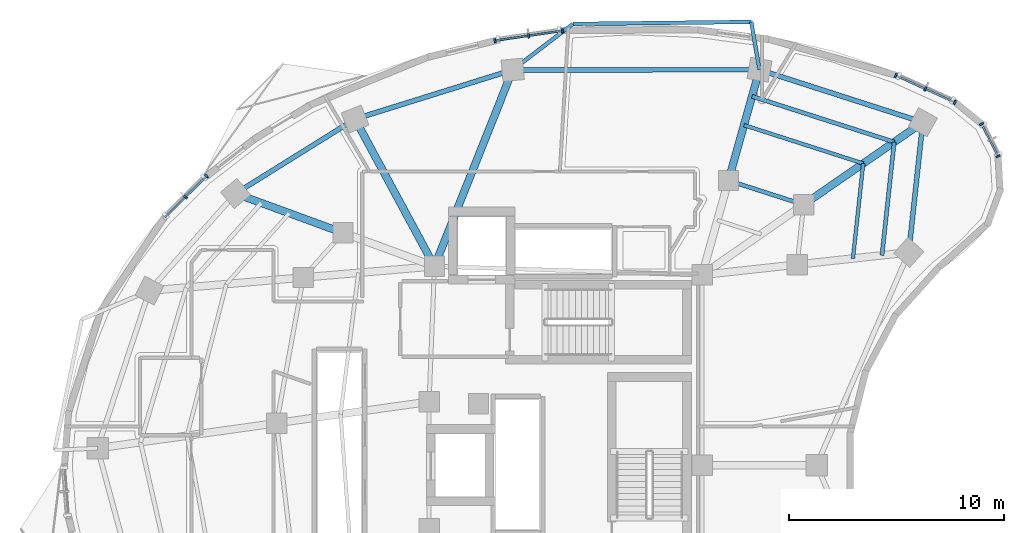
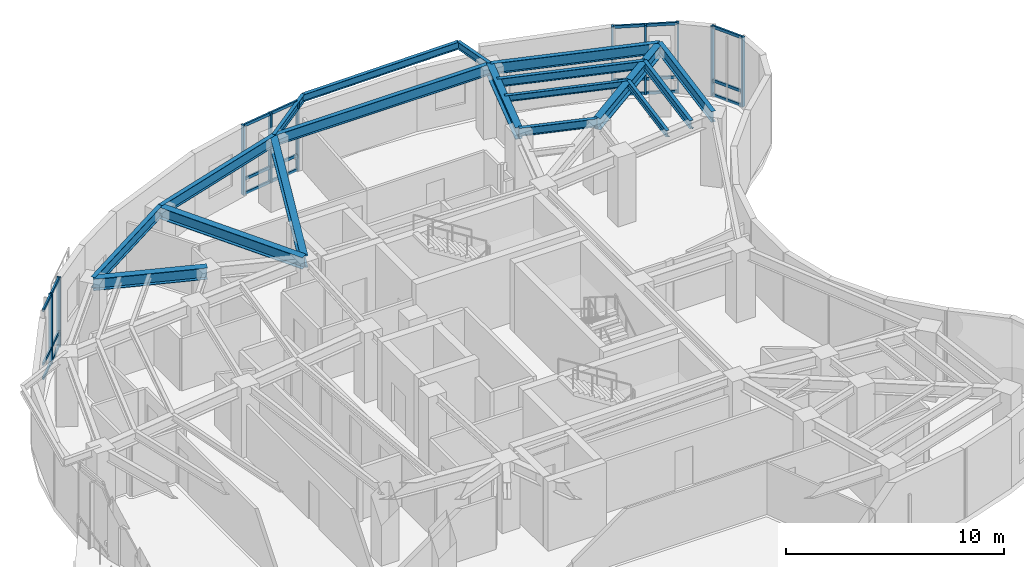
# One storey, part 5 of 13: 31 members, 18 beams, 4 elements without a shape of their own.
"""IFC4 building model written with IfcOpenShell, lengths in metres."""

from ifc_helpers import new_model, si_unit, direction, frame, origin, origin_2d, place, context, subcontext, project, spatial, rectangle, i_section, extrude, material, layer, layer_set, material_profile, profile_set, type_object, element, aggregate, save


model = new_model("IFC4")

# Units and contexts
model_context = context("Model", 3, precision=1e-05, world=origin(), true_north=direction((0.0, 1.0)))
body_context = subcontext(model_context, "Body", "Model", "MODEL_VIEW")
ifc_project = project(units=[si_unit("LENGTHUNIT", "METRE"), si_unit("AREAUNIT", "SQUARE_METRE"), si_unit("VOLUMEUNIT", "CUBIC_METRE"), si_unit("PLANEANGLEUNIT", "RADIAN"), si_unit("MASSUNIT", "GRAM", prefix="KILO")], contexts=[model_context])

# Site, building, storey
site_placement = place(None, origin())
site = spatial("IfcSite", under=ifc_project, at=site_placement, CompositionType="ELEMENT")
building_placement = place(site_placement, origin())
building = spatial("IfcBuilding", under=site, at=building_placement, Name="Korentha Bioscience Tower", CompositionType="ELEMENT")
storey_placement = place(building_placement, frame((0.0, 0.0, 192.0)))
storey = spatial("IfcBuildingStorey", under=building, at=storey_placement, Name="L44", CompositionType="ELEMENT", Elevation=192.0)

# Beam
ifc_material_1 = material(Name="Steel S355", Category="steel")
ifc_material_profile_1 = material_profile(ifc_material_1, i_section(OverallWidth=0.18994140625, OverallDepth=0.45703125, WebThickness=0.009033203125, FlangeThickness=0.014404296875, at=origin_2d()), Name="Steel S355")
ifc_profile_set_1 = profile_set([ifc_material_profile_1], Name="Steel S355 (MB-460)")
beam_type_1 = type_object("IfcBeamType", Name="Mid-Ring Tie Girder W460x74", PredefinedType="BEAM", material=ifc_profile_set_1)
beam_1_placement = place(storey_placement, frame((42.274658203125, 39.1171875, 3.67138671875), z_axis=(-0.952000195343, 0.306097415976, 0.0), x_axis=(-0.306097415976, -0.952000195343, 0.0)))
element("IfcBeam", 1, at=beam_1_placement, inside=storey, type_object=beam_type_1, Name="L44 Mid-Ring Tie Girder 01", PredefinedType="BEAM", context=body_context, shape_type="SweptSolid", body=[
    extrude(i_section(OverallWidth=0.18994140625, OverallDepth=0.45703125, WebThickness=0.009033203125, FlangeThickness=0.014404296875, at=origin_2d()), origin(), (0.0, 0.0, 1.0), 3.672119140625),
])

# Curtain wall, members
ifc_material_2 = material(Name="Thermally Broken Aluminium Frame", Category="aluminium")
ifc_layer = layer(ifc_material_2, 0.219970703125, Name="Thermally Broken Aluminium Frame")
ifc_layer_set = layer_set([ifc_layer], Name="Thermally Broken Aluminium Frame (CW-T2)")
curtain_wall_type = type_object("IfcCurtainWallType", Name="Solar-Screened Lab Unitised Curtain Wall CW-T2", PredefinedType="USERDEFINED", material=ifc_layer_set)
curtain_wall_1_placement = place(storey_placement, origin())
curtain_wall_1 = element("IfcCurtainWall", 2, at=curtain_wall_1_placement, inside=storey, type_object=curtain_wall_type, Name="L44 Curtain Wall 01", ObjectType="UNITISED", PredefinedType="USERDEFINED")
ifc_material_3 = material(Name="Anodised Aluminium 6063-T6", Category="aluminium")
ifc_material_profile_2 = material_profile(ifc_material_3, rectangle(XDim=0.090087890625, YDim=0.199951171875, at=origin_2d()), Name="Anodised Aluminium 6063-T6")
ifc_profile_set_2 = profile_set([ifc_material_profile_2], Name="Anodised Aluminium 6063-T6 (CW-MUL)")
member_type_1 = type_object("IfcMemberType", Name="Mullion RECT 90x200", PredefinedType="MULLION", material=ifc_profile_set_2)
member_1_placement = place(storey_placement, frame((49.314453125, 43.878173828125, 0.0), z_axis=(0.0, 0.0, 1.0), x_axis=(-0.910644398392, 0.413190972406, 0.0)))
member_1 = element("IfcMember", 3, at=member_1_placement, type_object=member_type_1, Name="CW-L44-01 Mullion 1", PredefinedType="MULLION", context=body_context, shape_type="SweptSolid", body=[
    extrude(rectangle(XDim=0.090087890625, YDim=0.199951171875, at=origin_2d()), origin(), (0.0, 0.0, 1.0), 3.89990234375),
])
member_2_placement = place(storey_placement, frame((47.93701171875, 44.503173828125, 0.0), z_axis=(0.0, 0.0, 1.0), x_axis=(-0.910644398392, 0.413190972406, 0.0)))
member_2 = element("IfcMember", 4, at=member_2_placement, type_object=member_type_1, Name="CW-L44-01 Mullion 2", PredefinedType="MULLION", context=body_context, shape_type="SweptSolid", body=[
    extrude(rectangle(XDim=0.090087890625, YDim=0.199951171875, at=origin_2d()), origin(), (0.0, 0.0, 1.0), 3.89990234375),
])
member_3_placement = place(storey_placement, frame((46.5595703125, 45.128173828125, 0.0), z_axis=(0.0, 0.0, 1.0), x_axis=(-0.910644398392, 0.413190972406, 0.0)))
member_3 = element("IfcMember", 5, at=member_3_placement, type_object=member_type_1, Name="CW-L44-01 Mullion 3", PredefinedType="MULLION", context=body_context, shape_type="SweptSolid", body=[
    extrude(rectangle(XDim=0.090087890625, YDim=0.199951171875, at=origin_2d()), origin(), (0.0, 0.0, 1.0), 3.89990234375),
])

curtain_wall_2_placement = place(storey_placement, origin())
curtain_wall_2 = element("IfcCurtainWall", 6, at=curtain_wall_2_placement, inside=storey, type_object=curtain_wall_type, Name="L44 Curtain Wall 07", ObjectType="UNITISED", PredefinedType="USERDEFINED")
member_4_placement = place(storey_placement, frame((31.056640625, 47.205078125, 0.0), z_axis=(0.0, 0.0, 1.0), x_axis=(-0.989461919888, -0.144793332342, 0.0)))
member_4 = element("IfcMember", 7, at=member_4_placement, type_object=member_type_1, Name="CW-L44-07 Mullion 1", PredefinedType="MULLION", context=body_context, shape_type="SweptSolid", body=[
    extrude(rectangle(XDim=0.090087890625, YDim=0.199951171875, at=origin_2d()), origin(), (0.0, 0.0, 1.0), 3.89990234375),
])
member_5_placement = place(storey_placement, frame((29.485107421875, 46.97509765625, 0.0), z_axis=(0.0, 0.0, 1.0), x_axis=(-0.989461919888, -0.144793332342, 0.0)))
member_5 = element("IfcMember", 8, at=member_5_placement, type_object=member_type_1, Name="CW-L44-07 Mullion 2", PredefinedType="MULLION", context=body_context, shape_type="SweptSolid", body=[
    extrude(rectangle(XDim=0.090087890625, YDim=0.199951171875, at=origin_2d()), origin(), (0.0, 0.0, 1.0), 3.89990234375),
])
member_6_placement = place(storey_placement, frame((27.913330078125, 46.7451171875, 0.0), z_axis=(0.0, 0.0, 1.0), x_axis=(-0.989461919888, -0.144793332342, 0.0)))
member_6 = element("IfcMember", 9, at=member_6_placement, type_object=member_type_1, Name="CW-L44-07 Mullion 3", PredefinedType="MULLION", context=body_context, shape_type="SweptSolid", body=[
    extrude(rectangle(XDim=0.090087890625, YDim=0.199951171875, at=origin_2d()), origin(), (0.0, 0.0, 1.0), 3.89990234375),
])

curtain_wall_3_placement = place(storey_placement, origin())
curtain_wall_3 = element("IfcCurtainWall", 10, at=curtain_wall_3_placement, inside=storey, type_object=curtain_wall_type, Name="L44 Curtain Wall 13", ObjectType="UNITISED", PredefinedType="USERDEFINED")
member_7_placement = place(storey_placement, frame((14.49951171875, 40.44287109375, 0.0), z_axis=(0.0, 0.0, 1.0), x_axis=(-0.711460557971, -0.702726030862, 0.0)))
member_7 = element("IfcMember", 11, at=member_7_placement, type_object=member_type_1, Name="CW-L44-13 Mullion 1", PredefinedType="MULLION", context=body_context, shape_type="SweptSolid", body=[
    extrude(rectangle(XDim=0.090087890625, YDim=0.199951171875, at=origin_2d()), origin(), (0.0, 0.0, 1.0), 3.89990234375),
])
member_8_placement = place(storey_placement, frame((13.517333984375, 39.472900390625, 0.0), z_axis=(0.0, 0.0, 1.0), x_axis=(-0.711460557971, -0.702726030862, 0.0)))
member_8 = element("IfcMember", 12, at=member_8_placement, type_object=member_type_1, Name="CW-L44-13 Mullion 2", PredefinedType="MULLION", context=body_context, shape_type="SweptSolid", body=[
    extrude(rectangle(XDim=0.090087890625, YDim=0.199951171875, at=origin_2d()), origin(), (0.0, 0.0, 1.0), 3.89990234375),
])

curtain_wall_4_placement = place(storey_placement, origin())
curtain_wall_4 = element("IfcCurtainWall", 13, at=curtain_wall_4_placement, inside=storey, type_object=curtain_wall_type, Name="L44 Curtain Wall 61", ObjectType="UNITISED", PredefinedType="USERDEFINED")
member_9_placement = place(storey_placement, frame((51.31884765625, 41.375732421875, 0.0), z_axis=(0.0, 0.0, 1.0), x_axis=(-0.45428845847, 0.890854643868, 0.0)))
member_9 = element("IfcMember", 14, at=member_9_placement, type_object=member_type_1, Name="CW-L44-61 Mullion 1", PredefinedType="MULLION", context=body_context, shape_type="SweptSolid", body=[
    extrude(rectangle(XDim=0.090087890625, YDim=0.199951171875, at=origin_2d()), origin(), (0.0, 0.0, 1.0), 3.89990234375),
])
member_10_placement = place(storey_placement, frame((50.5546875, 42.873779296875, 0.0), z_axis=(0.0, 0.0, 1.0), x_axis=(-0.45428845847, 0.890854643868, 0.0)))
member_10 = element("IfcMember", 15, at=member_10_placement, type_object=member_type_1, Name="CW-L44-61 Mullion 2", PredefinedType="MULLION", context=body_context, shape_type="SweptSolid", body=[
    extrude(rectangle(XDim=0.090087890625, YDim=0.199951171875, at=origin_2d()), origin(), (0.0, 0.0, 1.0), 3.89990234375),
])

# Beams
ifc_material_profile_3 = material_profile(ifc_material_1, i_section(OverallWidth=0.22802734375, OverallDepth=0.60791015625, WebThickness=0.01123046875, FlangeThickness=0.017333984375, at=origin_2d()), Name="Steel S355")
ifc_profile_set_3 = profile_set([ifc_material_profile_3], Name="Steel S355 (SB-610)")
beam_type_2 = type_object("IfcBeamType", Name="Perimeter Ring Spandrel Girder W610x113", PredefinedType="SPANDREL", material=ifc_profile_set_3)
beam_2_placement = place(storey_placement, frame((47.821044921875, 42.95263671875, 3.595947265625), z_axis=(-0.952008512555, 0.306071547228, 0.0), x_axis=(-0.306071547228, -0.952008512555, 0.0)))
element("IfcBeam", 16, at=beam_2_placement, inside=storey, type_object=beam_type_2, Name="L44 Perimeter Spandrel Girder 01", PredefinedType="SPANDREL", context=body_context, shape_type="SweptSolid", body=[
    extrude(i_section(OverallWidth=0.22802734375, OverallDepth=0.60791015625, WebThickness=0.01123046875, FlangeThickness=0.017333984375, at=origin_2d()), origin(), (0.0, 0.0, 1.0), 7.98291015625),
])
beam_3_placement = place(storey_placement, frame((40.22119140625, 45.39599609375, 3.595947265625), z_axis=(-0.99999988041, -0.000489059883, 0.0), x_axis=(0.000489059883, -0.99999988041, 0.0)))
element("IfcBeam", 17, at=beam_3_placement, inside=storey, type_object=beam_type_2, Name="L44 Perimeter Spandrel Girder 02", PredefinedType="SPANDREL", context=body_context, shape_type="SweptSolid", body=[
    extrude(i_section(OverallWidth=0.22802734375, OverallDepth=0.60791015625, WebThickness=0.01123046875, FlangeThickness=0.017333984375, at=origin_2d()), origin(), (0.0, 0.0, 1.0), 11.481689453125),
])
beam_4_placement = place(storey_placement, frame((28.739501953125, 45.390380859375, 3.595947265625), z_axis=(-0.954638172607, -0.29776829818, 0.0), x_axis=(0.29776829818, -0.954638172607, 0.0)))
element("IfcBeam", 18, at=beam_4_placement, inside=storey, type_object=beam_type_2, Name="L44 Perimeter Spandrel Girder 03", PredefinedType="SPANDREL", context=body_context, shape_type="SweptSolid", body=[
    extrude(i_section(OverallWidth=0.22802734375, OverallDepth=0.60791015625, WebThickness=0.01123046875, FlangeThickness=0.017333984375, at=origin_2d()), origin(), (0.0, 0.0, 1.0), 7.682373046875),
])
beam_5_placement = place(storey_placement, frame((21.405517578125, 43.102783203125, 3.595947265625), z_axis=(-0.848675740059, -0.528913497876, 0.0), x_axis=(0.528913497876, -0.848675740059, 0.0)))
element("IfcBeam", 19, at=beam_5_placement, inside=storey, type_object=beam_type_2, Name="L44 Perimeter Spandrel Girder 04", PredefinedType="SPANDREL", context=body_context, shape_type="SweptSolid", body=[
    extrude(i_section(OverallWidth=0.22802734375, OverallDepth=0.60791015625, WebThickness=0.01123046875, FlangeThickness=0.017333984375, at=origin_2d()), origin(), (0.0, 0.0, 1.0), 6.55322265625),
])
beam_6_placement = place(storey_placement, frame((47.16748046875, 36.89794921875, 3.595947265625), z_axis=(0.10732012232, 0.994224517574, 0.0), x_axis=(-0.994224517574, 0.10732012232, 0.0)))
element("IfcBeam", 20, at=beam_6_placement, inside=storey, type_object=beam_type_2, Name="L44 Perimeter Spandrel Girder 16", PredefinedType="SPANDREL", context=body_context, shape_type="SweptSolid", body=[
    extrude(i_section(OverallWidth=0.22802734375, OverallDepth=0.60791015625, WebThickness=0.01123046875, FlangeThickness=0.017333984375, at=origin_2d()), origin(), (0.0, 0.0, 1.0), 6.08984375),
])
ifc_material_profile_4 = material_profile(ifc_material_1, i_section(OverallWidth=0.18994140625, OverallDepth=0.45703125, WebThickness=0.009033203125, FlangeThickness=0.014404296875, at=origin_2d()), Name="Steel S355")
ifc_profile_set_4 = profile_set([ifc_material_profile_4], Name="Steel S355 (RB-460)")
beam_type_3 = type_object("IfcBeamType", Name="Radial Laboratory Beam W460x74", PredefinedType="BEAM", material=ifc_profile_set_4)
beam_7_placement = place(storey_placement, frame((46.489990234375, 42.031982421875, 3.67138671875), z_axis=(-0.952009183817, 0.306069459318, 0.0), x_axis=(-0.306069459318, -0.952009183817, 0.0)))
element("IfcBeam", 21, at=beam_7_placement, inside=storey, type_object=beam_type_3, Name="L44 Secondary Floor Beam JSTO-01", PredefinedType="BEAM", context=body_context, shape_type="SweptSolid", body=[
    extrude(i_section(OverallWidth=0.18994140625, OverallDepth=0.45703125, WebThickness=0.009033203125, FlangeThickness=0.014404296875, at=origin_2d()), origin(), (0.0, 0.0, 1.0), 6.948486328125),
])
beam_8_placement = place(storey_placement, frame((45.921142578125, 36.76220703125, 3.67138671875), z_axis=(0.107321875607, 0.994224328316, 0.0), x_axis=(-0.994224328316, 0.107321875607, 0.0)))
element("IfcBeam", 22, at=beam_8_placement, inside=storey, type_object=beam_type_3, Name="L44 Secondary Floor Beam JSTO-16", PredefinedType="BEAM", context=body_context, shape_type="SweptSolid", body=[
    extrude(i_section(OverallWidth=0.18994140625, OverallDepth=0.45703125, WebThickness=0.009033203125, FlangeThickness=0.014404296875, at=origin_2d()), origin(), (0.0, 0.0, 1.0), 5.30029296875),
])
ifc_material_profile_5 = material_profile(ifc_material_1, i_section(OverallWidth=0.35009765625, OverallDepth=0.64990234375, WebThickness=0.01611328125, FlangeThickness=0.02490234375, at=origin_2d()), Name="Steel S355")
ifc_profile_set_5 = profile_set([ifc_material_profile_5], Name="Steel S355 (RB-650)")
beam_type_4 = type_object("IfcBeamType", Name="Radial Laboratory Girder CVS 650x208", PredefinedType="BEAM", material=ifc_profile_set_5)
beam_9_placement = place(storey_placement, frame((42.274658203125, 39.1171875, 3.574951171875), z_axis=(0.822494455845, 0.568773127094, 0.0), x_axis=(-0.568773127094, 0.822494455845, 0.0)))
element("IfcBeam", 23, at=beam_9_placement, inside=storey, type_object=beam_type_4, Name="L44 Outer Radial Girder 01", PredefinedType="BEAM", context=body_context, shape_type="SweptSolid", body=[
    extrude(i_section(OverallWidth=0.35009765625, OverallDepth=0.64990234375, WebThickness=0.01611328125, FlangeThickness=0.02490234375, at=origin_2d()), origin(), (0.0, 0.0, 1.0), 6.743408203125),
])
beam_10_placement = place(storey_placement, frame((38.77880859375, 40.2412109375, 3.574951171875), z_axis=(0.269464128344, 0.963010427532, 0.0), x_axis=(-0.963010427532, 0.269464128344, 0.0)))
element("IfcBeam", 24, at=beam_10_placement, inside=storey, type_object=beam_type_4, Name="L44 Outer Radial Girder 02", PredefinedType="BEAM", context=body_context, shape_type="SweptSolid", body=[
    extrude(i_section(OverallWidth=0.35009765625, OverallDepth=0.64990234375, WebThickness=0.01611328125, FlangeThickness=0.02490234375, at=origin_2d()), origin(), (0.0, 0.0, 1.0), 5.352783203125),
])
beam_11_placement = place(storey_placement, frame((25.10009765625, 36.25, 3.574951171875), z_axis=(0.369922682955, 0.929062542909, 0.0), x_axis=(-0.929062542909, 0.369922682955, 0.0)))
element("IfcBeam", 25, at=beam_11_placement, inside=storey, type_object=beam_type_4, Name="L44 Radial Girder 03", PredefinedType="BEAM", context=body_context, shape_type="SweptSolid", body=[
    extrude(i_section(OverallWidth=0.35009765625, OverallDepth=0.64990234375, WebThickness=0.01611328125, FlangeThickness=0.02490234375, at=origin_2d()), origin(), (0.0, 0.0, 1.0), 9.83837890625),
])
beam_12_placement = place(storey_placement, frame((25.10009765625, 36.25, 3.574951171875), z_axis=(-0.474559790141, 0.880223270302, 0.0), x_axis=(-0.880223270302, -0.474559790141, 0.0)))
element("IfcBeam", 26, at=beam_12_placement, inside=storey, type_object=beam_type_4, Name="L44 Radial Girder 04", PredefinedType="BEAM", context=body_context, shape_type="SweptSolid", body=[
    extrude(i_section(OverallWidth=0.35009765625, OverallDepth=0.64990234375, WebThickness=0.01611328125, FlangeThickness=0.02490234375, at=origin_2d()), origin(), (0.0, 0.0, 1.0), 7.785400390625),
])
beam_13_placement = place(storey_placement, frame((20.84228515625, 37.807861328125, 3.574951171875), z_axis=(-0.939109855566, 0.343617053097, 0.0), x_axis=(-0.343617053097, -0.939109855566, 0.0)))
element("IfcBeam", 27, at=beam_13_placement, inside=storey, type_object=beam_type_4, Name="L44 Outer Radial Girder 05", PredefinedType="BEAM", context=body_context, shape_type="SweptSolid", body=[
    extrude(i_section(OverallWidth=0.35009765625, OverallDepth=0.64990234375, WebThickness=0.01611328125, FlangeThickness=0.02490234375, at=origin_2d()), origin(), (0.0, 0.0, 1.0), 5.322265625),
])
ifc_material_profile_6 = material_profile(ifc_material_1, i_section(OverallWidth=0.1708984375, OverallDepth=0.35498046875, WebThickness=0.007080078125, FlangeThickness=0.01171875, at=origin_2d()), Name="Steel S355")
ifc_profile_set_6 = profile_set([ifc_material_profile_6], Name="Steel S355 (JB-360)")
beam_type_5 = type_object("IfcBeamType", Name="Secondary Laboratory Joist W360x51", PredefinedType="JOIST", material=ifc_profile_set_6)
beam_14_placement = place(storey_placement, frame((45.0478515625, 41.034912109375, 3.722412109375), z_axis=(-0.952005892166, 0.306079697596, 0.0), x_axis=(-0.306079697596, -0.952005892166, 0.0)))
element("IfcBeam", 28, at=beam_14_placement, inside=storey, type_object=beam_type_5, Name="L44 Secondary Floor Beam JST-01", PredefinedType="JOIST", context=body_context, shape_type="SweptSolid", body=[
    extrude(i_section(OverallWidth=0.1708984375, OverallDepth=0.35498046875, WebThickness=0.007080078125, FlangeThickness=0.01171875, at=origin_2d()), origin(), (0.0, 0.0, 1.0), 5.82763671875),
])
beam_15_placement = place(storey_placement, frame((44.57080078125, 36.614990234375, 3.722412109375), z_axis=(0.107308722475, 0.994225748048, 0.0), x_axis=(-0.994225748048, 0.107308722475, 0.0)))
element("IfcBeam", 29, at=beam_15_placement, inside=storey, type_object=beam_type_5, Name="L44 Secondary Floor Beam JST-16", PredefinedType="JOIST", context=body_context, shape_type="SweptSolid", body=[
    extrude(i_section(OverallWidth=0.1708984375, OverallDepth=0.35498046875, WebThickness=0.007080078125, FlangeThickness=0.01171875, at=origin_2d()), origin(), (0.0, 0.0, 1.0), 4.445556640625),
])
ifc_material_profile_7 = material_profile(ifc_material_1, i_section(OverallWidth=0.177978515625, OverallDepth=0.406982421875, WebThickness=0.0078125, FlangeThickness=0.0126953125, at=origin_2d()), Name="Steel S355")
ifc_profile_set_7 = profile_set([ifc_material_profile_7], Name="Steel S355 (CB-410)")
beam_type_6 = type_object("IfcBeamType", Name="Sun-Ledge Cantilever Beam W410x60", PredefinedType="BEAM", material=ifc_profile_set_7)
beam_16_placement = place(storey_placement, frame((40.22119140625, 45.39599609375, 3.698486328125), z_axis=(-0.169095852477, 0.985599610732, 0.0), x_axis=(-0.985599610732, -0.169095852477, 0.0)))
element("IfcBeam", 30, at=beam_16_placement, inside=storey, type_object=beam_type_6, Name="L44 Balcony Cantilever Bracket A-L45-01", PredefinedType="BEAM", context=body_context, shape_type="SweptSolid", body=[
    extrude(i_section(OverallWidth=0.177978515625, OverallDepth=0.406982421875, WebThickness=0.0078125, FlangeThickness=0.0126953125, at=origin_2d()), origin(), (0.0, 0.0, 1.0), 2.258056640625),
])
beam_17_placement = place(storey_placement, frame((28.739501953125, 45.390380859375, 3.698486328125), z_axis=(0.794810389594, 0.606857845458, 0.0), x_axis=(-0.606857845458, 0.794810389594, 0.0)))
element("IfcBeam", 31, at=beam_17_placement, inside=storey, type_object=beam_type_6, Name="L44 Balcony Cantilever Bracket B-L45-01", PredefinedType="BEAM", context=body_context, shape_type="SweptSolid", body=[
    extrude(i_section(OverallWidth=0.177978515625, OverallDepth=0.406982421875, WebThickness=0.0078125, FlangeThickness=0.0126953125, at=origin_2d()), origin(), (0.0, 0.0, 1.0), 3.520263671875),
])
beam_18_placement = place(storey_placement, frame((39.83935546875, 47.62158203125, 3.698486328125), z_axis=(-0.999934575407, -0.011438745768, 0.0), x_axis=(0.011438745768, -0.999934575407, 0.0)))
element("IfcBeam", 32, at=beam_18_placement, inside=storey, type_object=beam_type_6, Name="L44 Balcony Edge Trimmer Beam L45-01", PredefinedType="BEAM", context=body_context, shape_type="SweptSolid", body=[
    extrude(i_section(OverallWidth=0.177978515625, OverallDepth=0.406982421875, WebThickness=0.0078125, FlangeThickness=0.0126953125, at=origin_2d()), origin(), (0.0, 0.0, 1.0), 8.302490234375),
])

# Member
ifc_material_profile_8 = material_profile(ifc_material_3, rectangle(XDim=0.090087890625, YDim=0.159912109375, at=origin_2d()), Name="Anodised Aluminium 6063-T6")
ifc_profile_set_8 = profile_set([ifc_material_profile_8], Name="Anodised Aluminium 6063-T6 (CW-TRN)")
member_type_2 = type_object("IfcMemberType", Name="Transom RECT 90x160", PredefinedType="USERDEFINED", material=ifc_profile_set_8)
member_11_placement = place(storey_placement, frame((49.2734375, 43.896728515625, 0.044921875), z_axis=(-0.910613165474, 0.41325980069, 0.0), x_axis=(-0.41325980069, -0.910613165474, 0.0)))
member_11 = element("IfcMember", 33, at=member_11_placement, type_object=member_type_2, Name="CW-L44-01 Bay 1 Transom 1", ObjectType="TRANSOM", PredefinedType="USERDEFINED", context=body_context, shape_type="SweptSolid", body=[
    extrude(rectangle(XDim=0.090087890625, YDim=0.159912109375, at=origin_2d()), origin(), (0.0, 0.0, 1.0), 1.422607421875),
])

member_12_placement = place(storey_placement, frame((49.2734375, 43.896728515625, 0.85009765625), z_axis=(-0.910613165474, 0.41325980069, 0.0), x_axis=(-0.41325980069, -0.910613165474, 0.0)))
member_12 = element("IfcMember", 34, at=member_12_placement, type_object=member_type_2, Name="CW-L44-01 Bay 1 Transom 2", ObjectType="TRANSOM", PredefinedType="USERDEFINED", context=body_context, shape_type="SweptSolid", body=[
    extrude(rectangle(XDim=0.090087890625, YDim=0.159912109375, at=origin_2d()), origin(), (0.0, 0.0, 1.0), 1.422607421875),
])

member_13_placement = place(storey_placement, frame((49.2734375, 43.896728515625, 3.85498046875), z_axis=(-0.910613165474, 0.41325980069, 0.0), x_axis=(-0.41325980069, -0.910613165474, 0.0)))
member_13 = element("IfcMember", 35, at=member_13_placement, type_object=member_type_2, Name="CW-L44-01 Bay 1 Transom 3", ObjectType="TRANSOM", PredefinedType="USERDEFINED", context=body_context, shape_type="SweptSolid", body=[
    extrude(rectangle(XDim=0.090087890625, YDim=0.159912109375, at=origin_2d()), origin(), (0.0, 0.0, 1.0), 1.422607421875),
])

member_14_placement = place(storey_placement, frame((47.89599609375, 44.521728515625, 0.044921875), z_axis=(-0.910613165474, 0.41325980069, 0.0), x_axis=(-0.41325980069, -0.910613165474, 0.0)))
member_14 = element("IfcMember", 36, at=member_14_placement, type_object=member_type_2, Name="CW-L44-01 Bay 2 Transom 1", ObjectType="TRANSOM", PredefinedType="USERDEFINED", context=body_context, shape_type="SweptSolid", body=[
    extrude(rectangle(XDim=0.090087890625, YDim=0.159912109375, at=origin_2d()), origin(), (0.0, 0.0, 1.0), 1.422607421875),
])

member_15_placement = place(storey_placement, frame((47.89599609375, 44.521728515625, 0.85009765625), z_axis=(-0.910613165474, 0.41325980069, 0.0), x_axis=(-0.41325980069, -0.910613165474, 0.0)))
member_15 = element("IfcMember", 37, at=member_15_placement, type_object=member_type_2, Name="CW-L44-01 Bay 2 Transom 2", ObjectType="TRANSOM", PredefinedType="USERDEFINED", context=body_context, shape_type="SweptSolid", body=[
    extrude(rectangle(XDim=0.090087890625, YDim=0.159912109375, at=origin_2d()), origin(), (0.0, 0.0, 1.0), 1.422607421875),
])

member_16_placement = place(storey_placement, frame((47.89599609375, 44.521728515625, 3.85498046875), z_axis=(-0.910613165474, 0.41325980069, 0.0), x_axis=(-0.41325980069, -0.910613165474, 0.0)))
member_16 = element("IfcMember", 38, at=member_16_placement, type_object=member_type_2, Name="CW-L44-01 Bay 2 Transom 3", ObjectType="TRANSOM", PredefinedType="USERDEFINED", context=body_context, shape_type="SweptSolid", body=[
    extrude(rectangle(XDim=0.090087890625, YDim=0.159912109375, at=origin_2d()), origin(), (0.0, 0.0, 1.0), 1.422607421875),
])

aggregate(curtain_wall_1, [member_1, member_2, member_3, member_11, member_12, member_13, member_14, member_15, member_16])

member_17_placement = place(storey_placement, frame((31.01220703125, 47.198486328125, 0.044921875), z_axis=(-0.989478137929, -0.144682461136, 0.0), x_axis=(0.144682461136, -0.989478137929, 0.0)))
member_17 = element("IfcMember", 39, at=member_17_placement, type_object=member_type_2, Name="CW-L44-07 Bay 1 Transom 1", ObjectType="TRANSOM", PredefinedType="USERDEFINED", context=body_context, shape_type="SweptSolid", body=[
    extrude(rectangle(XDim=0.090087890625, YDim=0.159912109375, at=origin_2d()), origin(), (0.0, 0.0, 1.0), 1.49853515625),
])

member_18_placement = place(storey_placement, frame((31.01220703125, 47.198486328125, 0.85009765625), z_axis=(-0.989478137929, -0.144682461136, 0.0), x_axis=(0.144682461136, -0.989478137929, 0.0)))
member_18 = element("IfcMember", 40, at=member_18_placement, type_object=member_type_2, Name="CW-L44-07 Bay 1 Transom 2", ObjectType="TRANSOM", PredefinedType="USERDEFINED", context=body_context, shape_type="SweptSolid", body=[
    extrude(rectangle(XDim=0.090087890625, YDim=0.159912109375, at=origin_2d()), origin(), (0.0, 0.0, 1.0), 1.49853515625),
])

member_19_placement = place(storey_placement, frame((31.01220703125, 47.198486328125, 3.85498046875), z_axis=(-0.989478137929, -0.144682461136, 0.0), x_axis=(0.144682461136, -0.989478137929, 0.0)))
member_19 = element("IfcMember", 41, at=member_19_placement, type_object=member_type_2, Name="CW-L44-07 Bay 1 Transom 3", ObjectType="TRANSOM", PredefinedType="USERDEFINED", context=body_context, shape_type="SweptSolid", body=[
    extrude(rectangle(XDim=0.090087890625, YDim=0.159912109375, at=origin_2d()), origin(), (0.0, 0.0, 1.0), 1.49853515625),
])

member_20_placement = place(storey_placement, frame((29.4404296875, 46.968505859375, 0.044921875), z_axis=(-0.989474726473, -0.144705790038, 0.0), x_axis=(0.144705790038, -0.989474726473, 0.0)))
member_20 = element("IfcMember", 42, at=member_20_placement, type_object=member_type_2, Name="CW-L44-07 Bay 2 Transom 1", ObjectType="TRANSOM", PredefinedType="USERDEFINED", context=body_context, shape_type="SweptSolid", body=[
    extrude(rectangle(XDim=0.090087890625, YDim=0.159912109375, at=origin_2d()), origin(), (0.0, 0.0, 1.0), 1.498291015625),
])

member_21_placement = place(storey_placement, frame((29.4404296875, 46.968505859375, 0.85009765625), z_axis=(-0.989474726473, -0.144705790038, 0.0), x_axis=(0.144705790038, -0.989474726473, 0.0)))
member_21 = element("IfcMember", 43, at=member_21_placement, type_object=member_type_2, Name="CW-L44-07 Bay 2 Transom 2", ObjectType="TRANSOM", PredefinedType="USERDEFINED", context=body_context, shape_type="SweptSolid", body=[
    extrude(rectangle(XDim=0.090087890625, YDim=0.159912109375, at=origin_2d()), origin(), (0.0, 0.0, 1.0), 1.498291015625),
])

member_22_placement = place(storey_placement, frame((29.4404296875, 46.968505859375, 3.85498046875), z_axis=(-0.989474726473, -0.144705790038, 0.0), x_axis=(0.144705790038, -0.989474726473, 0.0)))
member_22 = element("IfcMember", 44, at=member_22_placement, type_object=member_type_2, Name="CW-L44-07 Bay 2 Transom 3", ObjectType="TRANSOM", PredefinedType="USERDEFINED", context=body_context, shape_type="SweptSolid", body=[
    extrude(rectangle(XDim=0.090087890625, YDim=0.159912109375, at=origin_2d()), origin(), (0.0, 0.0, 1.0), 1.498291015625),
])

aggregate(curtain_wall_2, [member_4, member_5, member_6, member_17, member_18, member_19, member_20, member_21, member_22])

member_23_placement = place(storey_placement, frame((14.46728515625, 40.4111328125, 0.044921875), z_axis=(-0.711445315109, -0.70274146285, 0.0), x_axis=(0.70274146285, -0.711445315109, 0.0)))
member_23 = element("IfcMember", 45, at=member_23_placement, type_object=member_type_2, Name="CW-L44-13 Bay 1 Transom 1", ObjectType="TRANSOM", PredefinedType="USERDEFINED", context=body_context, shape_type="SweptSolid", body=[
    extrude(rectangle(XDim=0.090087890625, YDim=0.159912109375, at=origin_2d()), origin(), (0.0, 0.0, 1.0), 1.290283203125),
])

member_24_placement = place(storey_placement, frame((14.46728515625, 40.4111328125, 0.85009765625), z_axis=(-0.711445315109, -0.70274146285, 0.0), x_axis=(0.70274146285, -0.711445315109, 0.0)))
member_24 = element("IfcMember", 46, at=member_24_placement, type_object=member_type_2, Name="CW-L44-13 Bay 1 Transom 2", ObjectType="TRANSOM", PredefinedType="USERDEFINED", context=body_context, shape_type="SweptSolid", body=[
    extrude(rectangle(XDim=0.090087890625, YDim=0.159912109375, at=origin_2d()), origin(), (0.0, 0.0, 1.0), 1.290283203125),
])

member_25_placement = place(storey_placement, frame((14.46728515625, 40.4111328125, 3.85498046875), z_axis=(-0.711445315109, -0.70274146285, 0.0), x_axis=(0.70274146285, -0.711445315109, 0.0)))
member_25 = element("IfcMember", 47, at=member_25_placement, type_object=member_type_2, Name="CW-L44-13 Bay 1 Transom 3", ObjectType="TRANSOM", PredefinedType="USERDEFINED", context=body_context, shape_type="SweptSolid", body=[
    extrude(rectangle(XDim=0.090087890625, YDim=0.159912109375, at=origin_2d()), origin(), (0.0, 0.0, 1.0), 1.290283203125),
])

member_26_placement = place(storey_placement, frame((13.4853515625, 39.441162109375, 0.044921875), z_axis=(-0.711444158079, -0.70274263421, 0.0), x_axis=(0.70274263421, -0.711444158079, 0.0)))
member_26 = element("IfcMember", 48, at=member_26_placement, type_object=member_type_2, Name="CW-L44-13 Bay 2 Transom 1", ObjectType="TRANSOM", PredefinedType="USERDEFINED", context=body_context, shape_type="SweptSolid", body=[
    extrude(rectangle(XDim=0.090087890625, YDim=0.159912109375, at=origin_2d()), origin(), (0.0, 0.0, 1.0), 1.29052734375),
])

member_27_placement = place(storey_placement, frame((13.4853515625, 39.441162109375, 0.85009765625), z_axis=(-0.711444158079, -0.70274263421, 0.0), x_axis=(0.70274263421, -0.711444158079, 0.0)))
member_27 = element("IfcMember", 49, at=member_27_placement, type_object=member_type_2, Name="CW-L44-13 Bay 2 Transom 2", ObjectType="TRANSOM", PredefinedType="USERDEFINED", context=body_context, shape_type="SweptSolid", body=[
    extrude(rectangle(XDim=0.090087890625, YDim=0.159912109375, at=origin_2d()), origin(), (0.0, 0.0, 1.0), 1.29052734375),
])

member_28_placement = place(storey_placement, frame((13.4853515625, 39.441162109375, 3.85498046875), z_axis=(-0.711444158079, -0.70274263421, 0.0), x_axis=(0.70274263421, -0.711444158079, 0.0)))
member_28 = element("IfcMember", 50, at=member_28_placement, type_object=member_type_2, Name="CW-L44-13 Bay 2 Transom 3", ObjectType="TRANSOM", PredefinedType="USERDEFINED", context=body_context, shape_type="SweptSolid", body=[
    extrude(rectangle(XDim=0.090087890625, YDim=0.159912109375, at=origin_2d()), origin(), (0.0, 0.0, 1.0), 1.29052734375),
])

aggregate(curtain_wall_3, [member_7, member_8, member_23, member_24, member_25, member_26, member_27, member_28])

member_29_placement = place(storey_placement, frame((51.29833984375, 41.415771484375, 0.044921875), z_axis=(-0.454316345026, 0.890840422658, 0.0), x_axis=(-0.890840422658, -0.454316345026, 0.0)))
member_29 = element("IfcMember", 51, at=member_29_placement, type_object=member_type_2, Name="CW-L44-61 Bay 1 Transom 1", ObjectType="TRANSOM", PredefinedType="USERDEFINED", context=body_context, shape_type="SweptSolid", body=[
    extrude(rectangle(XDim=0.090087890625, YDim=0.159912109375, at=origin_2d()), origin(), (0.0, 0.0, 1.0), 1.591796875),
])

member_30_placement = place(storey_placement, frame((51.29833984375, 41.415771484375, 0.85009765625), z_axis=(-0.454316345026, 0.890840422658, 0.0), x_axis=(-0.890840422658, -0.454316345026, 0.0)))
member_30 = element("IfcMember", 52, at=member_30_placement, type_object=member_type_2, Name="CW-L44-61 Bay 1 Transom 2", ObjectType="TRANSOM", PredefinedType="USERDEFINED", context=body_context, shape_type="SweptSolid", body=[
    extrude(rectangle(XDim=0.090087890625, YDim=0.159912109375, at=origin_2d()), origin(), (0.0, 0.0, 1.0), 1.591796875),
])

member_31_placement = place(storey_placement, frame((51.29833984375, 41.415771484375, 3.85498046875), z_axis=(-0.454316345026, 0.890840422658, 0.0), x_axis=(-0.890840422658, -0.454316345026, 0.0)))
member_31 = element("IfcMember", 53, at=member_31_placement, type_object=member_type_2, Name="CW-L44-61 Bay 1 Transom 3", ObjectType="TRANSOM", PredefinedType="USERDEFINED", context=body_context, shape_type="SweptSolid", body=[
    extrude(rectangle(XDim=0.090087890625, YDim=0.159912109375, at=origin_2d()), origin(), (0.0, 0.0, 1.0), 1.591796875),
])

aggregate(curtain_wall_4, [member_9, member_10, member_29, member_30, member_31])

save(model, "model.ifc")
